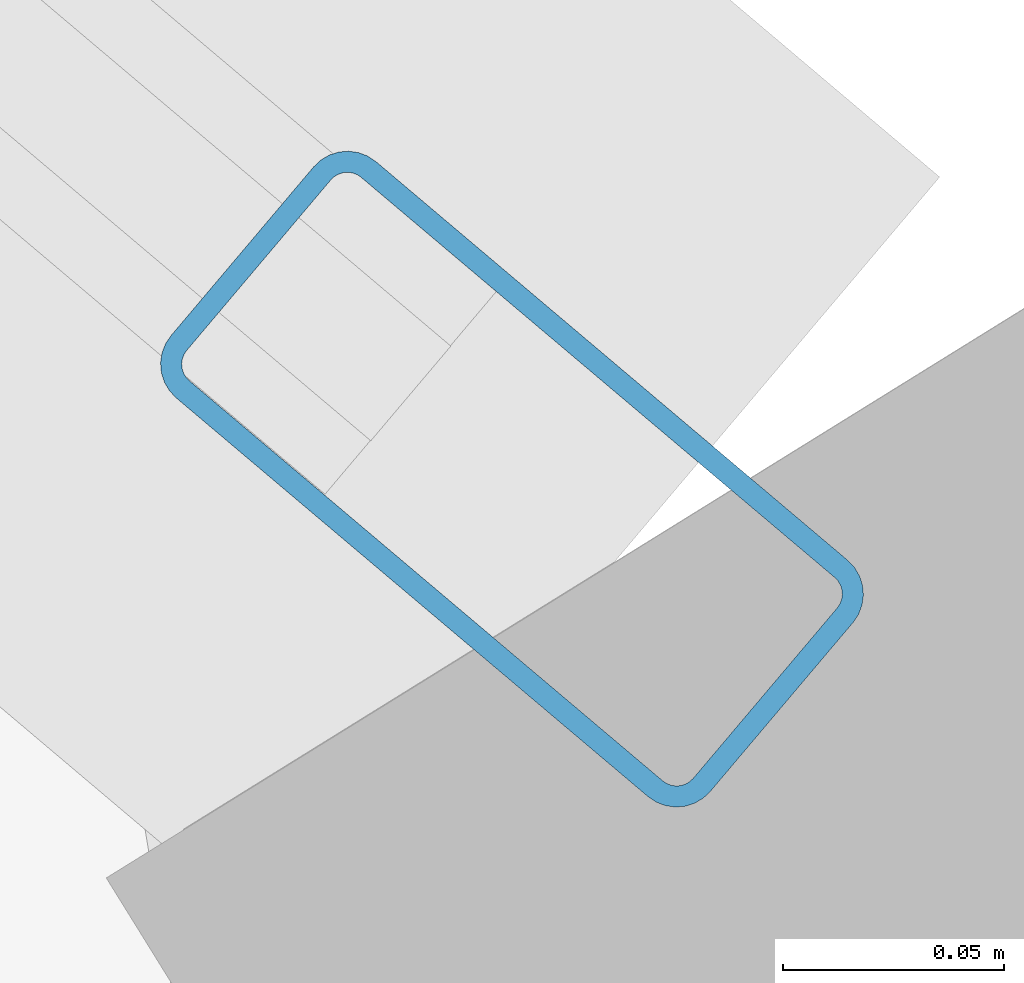
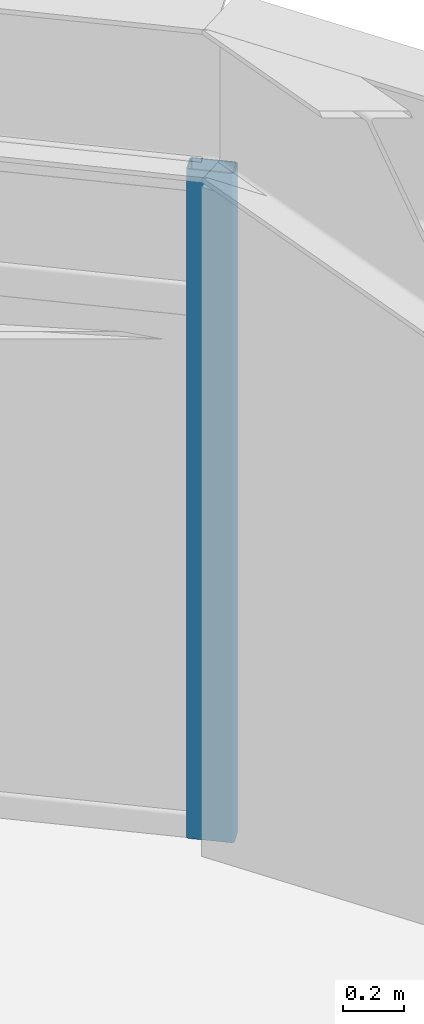
# One storey, part 10 of 21: 1 member, 1 element without a shape of its own.
"""IFC4 building model written with IfcOpenShell, lengths in metres."""

from ifc_helpers import new_model, si_unit, direction, frame, origin, origin_2d, place, context, subcontext, project, spatial, hollow_rectangle, extrude, material, layer, layer_set, material_profile, profile_set, type_object, element, aggregate, save


model = new_model("IFC4")

# Units and contexts
model_context = context("Model", 3, precision=1e-05, world=origin(), true_north=direction((0.0, 1.0)))
body_context = subcontext(model_context, "Body", "Model", "MODEL_VIEW")
ifc_project = project(units=[si_unit("LENGTHUNIT", "METRE"), si_unit("AREAUNIT", "SQUARE_METRE"), si_unit("VOLUMEUNIT", "CUBIC_METRE"), si_unit("PLANEANGLEUNIT", "RADIAN"), si_unit("MASSUNIT", "GRAM", prefix="KILO")], contexts=[model_context])

# Site, building, storey
site_placement = place(None, origin())
site = spatial("IfcSite", under=ifc_project, at=site_placement, CompositionType="ELEMENT")
building_placement = place(site_placement, origin())
building = spatial("IfcBuilding", under=site, at=building_placement, Name="Soratama Intermodal Tower", CompositionType="ELEMENT")
storey_placement = place(building_placement, frame((0.0, 0.0, 153.39990234375)))
storey = spatial("IfcBuildingStorey", under=building, at=storey_placement, Name="L37", CompositionType="ELEMENT", Elevation=153.39990234375)

# Curtain wall, member
ifc_material_1 = material(Name="Double-glazed aluminium curtain wall", Category="aluminium")
ifc_layer = layer(ifc_material_1, 0.159912109375)
ifc_layer_set = layer_set([ifc_layer], Name="Double-glazed aluminium curtain wall")
curtain_wall_type = type_object("IfcCurtainWallType", Name="CW-SYS-4", PredefinedType="NOTDEFINED", material=ifc_layer_set)
curtain_wall_placement = place(storey_placement, origin())
curtain_wall = element("IfcCurtainWall", 1, at=curtain_wall_placement, inside=storey, type_object=curtain_wall_type, Name="L37 Faceted Curtain Wall F01", PredefinedType="NOTDEFINED")
ifc_material_2 = material(Name="Anodised aluminium AA 6063-T6", Category="aluminium")
ifc_material_profile = material_profile(ifc_material_2, hollow_rectangle(XDim=0.070068359375, YDim=0.159912109375, WallThickness=0.0048828125, InnerFilletRadius=0.0048828125, OuterFilletRadius=0.010009765625, at=origin_2d()), Name="CWM160X70X5")
ifc_profile_set = profile_set([ifc_material_profile], Name="Anodised aluminium AA 6063-T6")
member_type = type_object("IfcMemberType", Name="MT-CWM-4", PredefinedType="MULLION", material=ifc_profile_set)
member_placement = place(storey_placement, frame((59.68212890625, 35.882080078125, 0.0), z_axis=(0.0, 0.0, 1.0), x_axis=(-0.645452960666, -0.763800023284, 0.0)))
member = element("IfcMember", 2, at=member_placement, type_object=member_type, Name="CW-4 mullion 1", PredefinedType="MULLION", context=body_context, shape_type="SweptSolid", body=[
    extrude(hollow_rectangle(XDim=0.070068359375, YDim=0.159912109375, WallThickness=0.0048828125, InnerFilletRadius=0.0048828125, OuterFilletRadius=0.010009765625, at=origin_2d()), origin(), (0.0, 0.0, 1.0), 2.67919921875),
])
aggregate(curtain_wall, [member])

save(model, "model.ifc")
